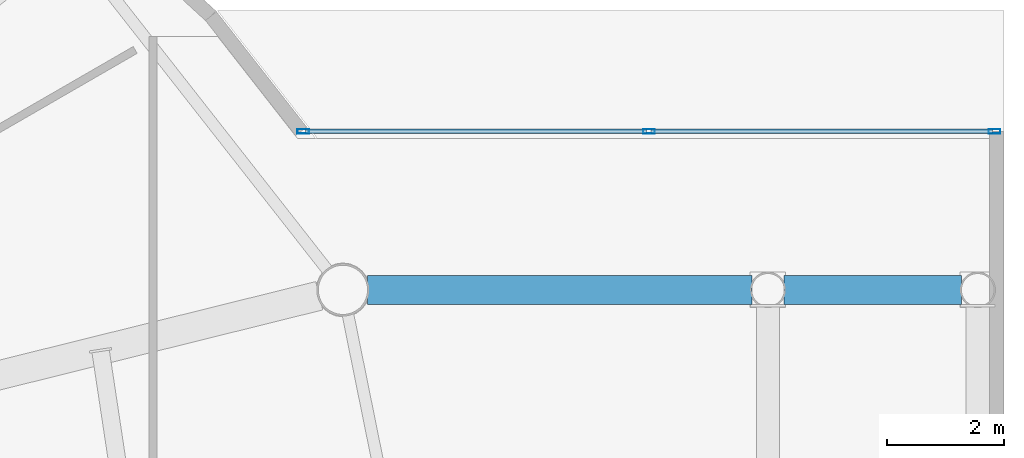
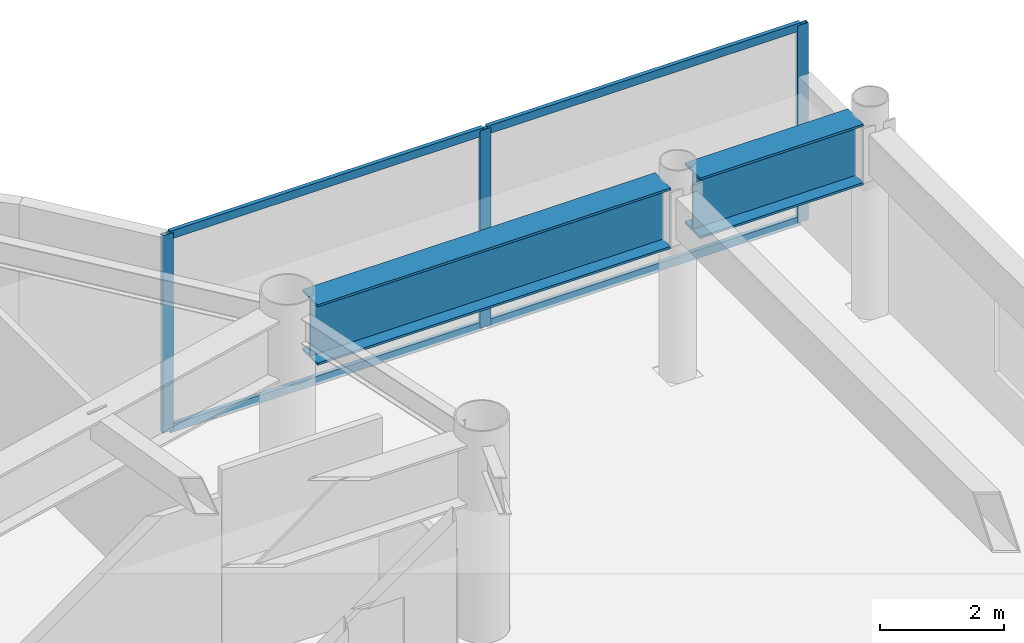
# One storey, part 12 of 26: 7 members, 2 beams, 1 element without a shape of its own.
"""IFC4 building model written with IfcOpenShell, lengths in metres."""

from ifc_helpers import new_model, si_unit, direction, frame, origin, origin_2d, place, context, subcontext, project, spatial, hollow_rectangle, i_section, extrude, source, transform, mapped, material, layer, layer_set, material_profile, profile_set, type_object, element, aggregate, save


model = new_model("IFC4")

# Units and contexts
model_context = context("Model", 3, precision=1e-05, world=origin(), true_north=direction((0.0, 1.0)))
body_context = subcontext(model_context, "Body", "Model", "MODEL_VIEW")
ifc_project = project(units=[si_unit("LENGTHUNIT", "METRE"), si_unit("AREAUNIT", "SQUARE_METRE"), si_unit("VOLUMEUNIT", "CUBIC_METRE"), si_unit("PLANEANGLEUNIT", "RADIAN"), si_unit("MASSUNIT", "GRAM", prefix="KILO")], contexts=[model_context])

# Site, building, storey
site_placement = place(None, origin())
site = spatial("IfcSite", under=ifc_project, at=site_placement, CompositionType="ELEMENT")
building_placement = place(site_placement, origin())
building = spatial("IfcBuilding", under=site, at=building_placement, Name="Linh Dai School and Residence Tower", CompositionType="ELEMENT")
storey_placement = place(building_placement, frame((0.0, 0.0, 346.800048828125)))
storey = spatial("IfcBuildingStorey", under=building, at=storey_placement, Name="L86", CompositionType="ELEMENT", Elevation=346.800048828125)

# Beams
ifc_material_1 = material(Name="Structural Steel S355JR", Category="steel")
ifc_material_profile_1 = material_profile(ifc_material_1, i_section(OverallWidth=0.5, OverallDepth=1.199951171875, WebThickness=0.02392578125, FlangeThickness=0.044921875, at=origin_2d()), Name="PG 1200x500x24x45")
ifc_profile_set_1 = profile_set([ifc_material_profile_1], Name="Structural Steel S355JR")
beam_type = type_object("IfcBeamType", Name="BM-TG12", PredefinedType="BEAM", material=ifc_profile_set_1)
beam_1_placement = place(storey_placement, frame((55.177734375, 31.65478515625, 3.300048828125), z_axis=(1.0, 0.0, 0.0), x_axis=(0.0, 1.0, 0.0)))
element("IfcBeam", 1, at=beam_1_placement, inside=storey, type_object=beam_type, Name="L86 Sky-Lounge Vierendeel Inner Chord N", PredefinedType="BEAM", context=body_context, shape_type="SweptSolid", body=[
    extrude(i_section(OverallWidth=0.5, OverallDepth=1.199951171875, WebThickness=0.02392578125, FlangeThickness=0.044921875, at=origin_2d()), origin(), (0.0, 0.0, 1.0), 6.59716796875),
])
beam_2_placement = place(storey_placement, frame((62.324951171875, 31.65478515625, 3.300048828125), z_axis=(1.0, 0.0, 0.0), x_axis=(0.0, 1.0, 0.0)))
element("IfcBeam", 2, at=beam_2_placement, inside=storey, type_object=beam_type, Name="L86 Sky-Lounge Vierendeel Outer Chord N", PredefinedType="BEAM", context=body_context, shape_type="SweptSolid", body=[
    extrude(i_section(OverallWidth=0.5, OverallDepth=1.199951171875, WebThickness=0.02392578125, FlangeThickness=0.044921875, at=origin_2d()), origin(), (0.0, 0.0, 1.0), 3.050048828125),
])

# Curtain wall, members
ifc_material_2 = material(Name="Aluminium Anodised Curtain Wall", Category="aluminium")
ifc_layer = layer(ifc_material_2, 0.199951171875)
ifc_layer_set = layer_set([ifc_layer], Name="Aluminium Anodised Curtain Wall")
curtain_wall_type = type_object("IfcCurtainWallType", Name="CW-SYS-6", PredefinedType="USERDEFINED", material=ifc_layer_set)
curtain_wall_placement = place(storey_placement, origin())
curtain_wall = element("IfcCurtainWall", 3, at=curtain_wall_placement, inside=storey, type_object=curtain_wall_type, Name="L86 CW6 Curtain Wall 03", ObjectType="UNITISED CURTAIN WALL", PredefinedType="USERDEFINED")
ifc_material_3 = material(Name="Aluminium Alloy 6063-T6", Category="aluminium")
ifc_material_profile_2 = material_profile(ifc_material_3, hollow_rectangle(XDim=0.074951171875, YDim=0.199951171875, WallThickness=0.00390625, at=origin_2d()), Name="RHS 200x75x4")
ifc_profile_set_2 = profile_set([ifc_material_profile_2], Name="Aluminium Alloy 6063-T6")
member_type_1 = type_object("IfcMemberType", Name="CW-SYS-6-MUL", PredefinedType="MULLION", material=ifc_profile_set_2)
shared_shape_1 = source(origin(), body_context, "Body", "SweptSolid", [
    extrude(hollow_rectangle(XDim=0.074951171875, YDim=0.199951171875, WallThickness=0.00390625, at=origin_2d()), origin(), (0.0, 0.0, 1.0), 3.89990234375),
])
member_1_placement = place(storey_placement, frame((54.07763671875, 34.375, 0.0), z_axis=(0.0, 0.0, 1.0), x_axis=(0.0, 1.0, 0.0)))
member_1 = element("IfcMember", 4, at=member_1_placement, type_object=member_type_1, Name="CW6 mullion 1", PredefinedType="MULLION", context=body_context, shape_type="MappedRepresentation", body=[
    mapped(shared_shape_1, transform((0.0, 0.0, 0.0), x_axis=(1.0, 0.0, 0.0), y_axis=(0.0, 1.0, 0.0), z_axis=(0.0, 0.0, 1.0), scale=1.0)),
])
member_2_placement = place(storey_placement, frame((60.007568359375, 34.375, 0.0), z_axis=(0.0, 0.0, 1.0), x_axis=(0.0, 1.0, 0.0)))
member_2 = element("IfcMember", 5, at=member_2_placement, type_object=member_type_1, Name="CW6 mullion 2", PredefinedType="MULLION", context=body_context, shape_type="MappedRepresentation", body=[
    mapped(shared_shape_1, transform((0.0, 0.0, 0.0), x_axis=(1.0, 0.0, 0.0), y_axis=(0.0, 1.0, 0.0), z_axis=(0.0, 0.0, 1.0), scale=1.0)),
])
member_3_placement = place(storey_placement, frame((65.9375, 34.375, 0.0), z_axis=(0.0, 0.0, 1.0), x_axis=(0.0, 1.0, 0.0)))
member_3 = element("IfcMember", 6, at=member_3_placement, type_object=member_type_1, Name="CW6 mullion 3", PredefinedType="MULLION", context=body_context, shape_type="MappedRepresentation", body=[
    mapped(shared_shape_1, transform((0.0, 0.0, 0.0), x_axis=(1.0, 0.0, 0.0), y_axis=(0.0, 1.0, 0.0), z_axis=(0.0, 0.0, 1.0), scale=1.0)),
])
ifc_material_profile_3 = material_profile(ifc_material_3, hollow_rectangle(XDim=0.074951171875, YDim=0.159912109375, WallThickness=0.00390625, at=origin_2d()), Name="RHS 160x75x4")
ifc_profile_set_3 = profile_set([ifc_material_profile_3], Name="Aluminium Alloy 6063-T6")
member_type_2 = type_object("IfcMemberType", Name="CW-SYS-6-TRN", PredefinedType="USERDEFINED", material=ifc_profile_set_3)
shared_shape_2 = source(origin(), body_context, "Body", "SweptSolid", [
    extrude(hollow_rectangle(XDim=0.074951171875, YDim=0.159912109375, WallThickness=0.00390625, at=origin_2d()), origin(), (0.0, 0.0, 1.0), 5.85498046875),
])
member_4_placement = place(storey_placement, frame((54.114990234375, 34.375, 0.037353515625), z_axis=(1.0, 0.0, 0.0), x_axis=(0.0, 1.0, 0.0)))
member_4 = element("IfcMember", 7, at=member_4_placement, type_object=member_type_2, Name="CW6 transom 1.1", ObjectType="TRANSOM", PredefinedType="USERDEFINED", context=body_context, shape_type="MappedRepresentation", body=[
    mapped(shared_shape_2, transform((0.0, 0.0, 0.0), x_axis=(1.0, 0.0, 0.0), y_axis=(0.0, 1.0, 0.0), z_axis=(0.0, 0.0, 1.0), scale=1.0)),
])
member_5_placement = place(storey_placement, frame((54.114990234375, 34.375, 3.862548828125), z_axis=(1.0, 0.0, 0.0), x_axis=(0.0, 1.0, 0.0)))
member_5 = element("IfcMember", 8, at=member_5_placement, type_object=member_type_2, Name="CW6 transom 1.2", ObjectType="TRANSOM", PredefinedType="USERDEFINED", context=body_context, shape_type="MappedRepresentation", body=[
    mapped(shared_shape_2, transform((0.0, 0.0, 0.0), x_axis=(1.0, 0.0, 0.0), y_axis=(0.0, 1.0, 0.0), z_axis=(0.0, 0.0, 1.0), scale=1.0)),
])
member_6_placement = place(storey_placement, frame((60.044921875, 34.375, 0.037353515625), z_axis=(1.0, 0.0, 0.0), x_axis=(0.0, 1.0, 0.0)))
member_6 = element("IfcMember", 9, at=member_6_placement, type_object=member_type_2, Name="CW6 transom 2.1", ObjectType="TRANSOM", PredefinedType="USERDEFINED", context=body_context, shape_type="MappedRepresentation", body=[
    mapped(shared_shape_2, transform((0.0, 0.0, 0.0), x_axis=(1.0, 0.0, 0.0), y_axis=(0.0, 1.0, 0.0), z_axis=(0.0, 0.0, 1.0), scale=1.0)),
])
member_7_placement = place(storey_placement, frame((60.044921875, 34.375, 3.862548828125), z_axis=(1.0, 0.0, 0.0), x_axis=(0.0, 1.0, 0.0)))
member_7 = element("IfcMember", 10, at=member_7_placement, type_object=member_type_2, Name="CW6 transom 2.2", ObjectType="TRANSOM", PredefinedType="USERDEFINED", context=body_context, shape_type="MappedRepresentation", body=[
    mapped(shared_shape_2, transform((0.0, 0.0, 0.0), x_axis=(1.0, 0.0, 0.0), y_axis=(0.0, 1.0, 0.0), z_axis=(0.0, 0.0, 1.0), scale=1.0)),
])
aggregate(curtain_wall, [member_1, member_2, member_3, member_4, member_5, member_6, member_7])

save(model, "model.ifc")
